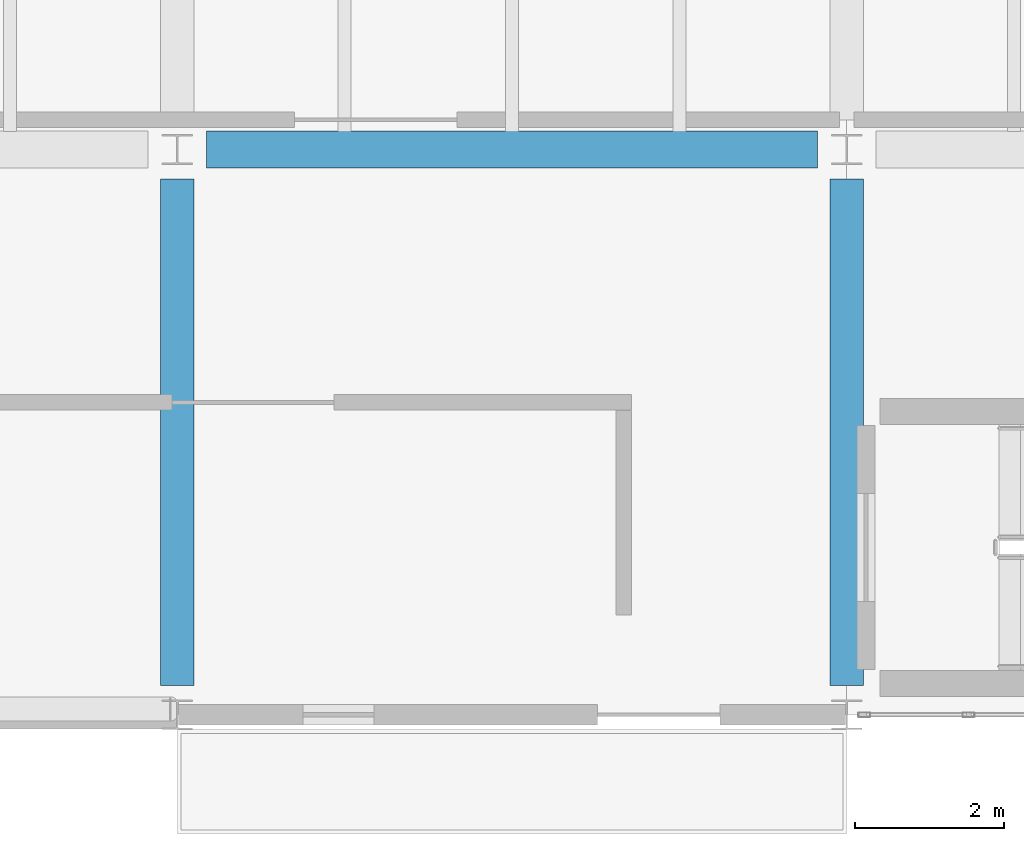
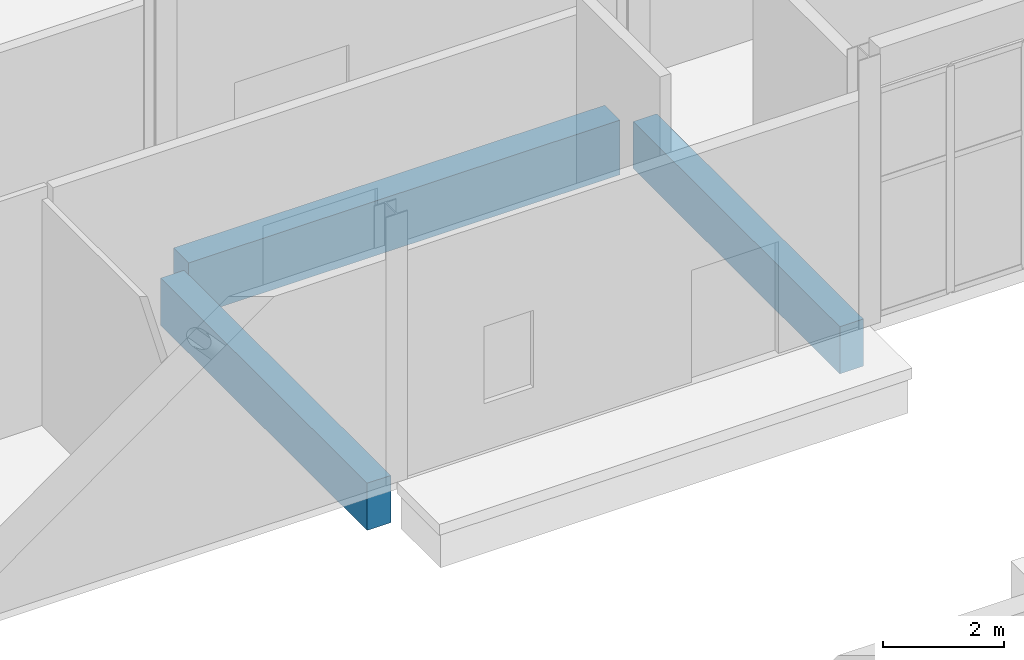
# One storey, part 56 of 95: 3 beams.
"""IFC4 building model written with IfcOpenShell, lengths in metres."""

from ifc_helpers import new_model, si_unit, direction, frame, origin, origin_2d, place, context, subcontext, project, spatial, rectangle, extrude, material, material_profile, profile_set, type_object, element, save


model = new_model("IFC4")

# Units and contexts
model_context = context("Model", 3, precision=1e-05, world=origin(), true_north=direction((0.0, 1.0)))
body_context = subcontext(model_context, "Body", "Model", "MODEL_VIEW")
ifc_project = project(units=[si_unit("LENGTHUNIT", "METRE"), si_unit("AREAUNIT", "SQUARE_METRE"), si_unit("VOLUMEUNIT", "CUBIC_METRE"), si_unit("PLANEANGLEUNIT", "RADIAN"), si_unit("MASSUNIT", "GRAM", prefix="KILO")], contexts=[model_context])

# Site, building, storey
site_placement = place(None, origin())
site = spatial("IfcSite", under=ifc_project, at=site_placement, CompositionType="ELEMENT")
building_placement = place(site_placement, origin())
building = spatial("IfcBuilding", under=site, at=building_placement, Name="Shengluoqiao Park Theatre", CompositionType="ELEMENT")
storey_placement = place(building_placement, origin())
storey = spatial("IfcBuildingStorey", under=building, at=storey_placement, Name="L00", CompositionType="ELEMENT", Elevation=0.0)

# Beams
ifc_material = material(Name="Concrete C40", Category="concrete")
ifc_material_profile_1 = material_profile(ifc_material, rectangle(XDim=0.449951171875, YDim=0.949951171875, at=origin_2d()), Name="RC BEAM 450x950")
ifc_profile_set_1 = profile_set([ifc_material_profile_1], Name="Concrete C40")
beam_type_1 = type_object("IfcBeamType", Name="STR-BM-B-RC4595", PredefinedType="BEAM", material=ifc_profile_set_1)
for number, where, z_axis, x_axis, name in (
    (1, (130.39990234375, 84.39404296875, -0.77490234375), (0.0, 1.0, 0.0), (-1.0, 0.0, 0.0), "L00 Transverse Girder 00233"),
    (2, (139.39990234375, 84.39404296875, -0.77490234375), (0.0, 1.0, 0.0), (-1.0, 0.0, 0.0), "L00 Transverse Girder 00237"),
):
    element("IfcBeam", number, at=place(storey_placement, frame(where, z_axis=z_axis, x_axis=x_axis)), inside=storey, type_object=beam_type_1, Name=name, PredefinedType="BEAM", context=body_context, shape_type="SweptSolid", body=[
        extrude(rectangle(XDim=0.449951171875, YDim=0.949951171875, at=origin_2d()), origin(), (0.0, 0.0, 1.0), 6.81201171875),
    ])
ifc_material_profile_2 = material_profile(ifc_material, rectangle(XDim=0.5, YDim=1.10009765625, at=origin_2d()), Name="RC BEAM 500x1100")
ifc_profile_set_2 = profile_set([ifc_material_profile_2], Name="Concrete C40")
beam_type_2 = type_object("IfcBeamType", Name="STR-BM-B-RC5011", PredefinedType="BEAM", material=ifc_profile_set_2)
beam_placement = place(storey_placement, frame((130.7939453125, 91.60009765625, -0.85009765625), z_axis=(1.0, 0.0, 0.0), x_axis=(0.0, 1.0, 0.0)))
element("IfcBeam", 3, at=beam_placement, inside=storey, type_object=beam_type_2, Name="L00 Primary Girder 00222", PredefinedType="BEAM", context=body_context, shape_type="SweptSolid", body=[
    extrude(rectangle(XDim=0.5, YDim=1.10009765625, at=origin_2d()), origin(), (0.0, 0.0, 1.0), 8.212158203125),
])

save(model, "model.ifc")
